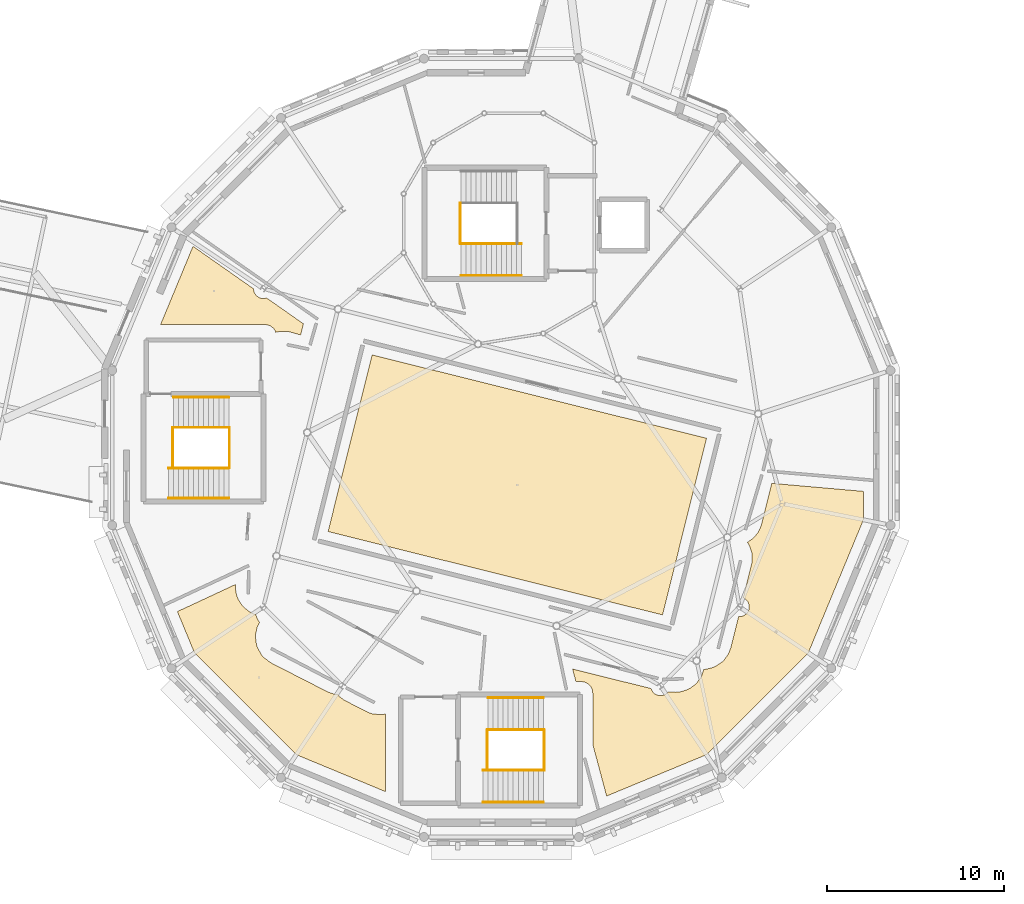
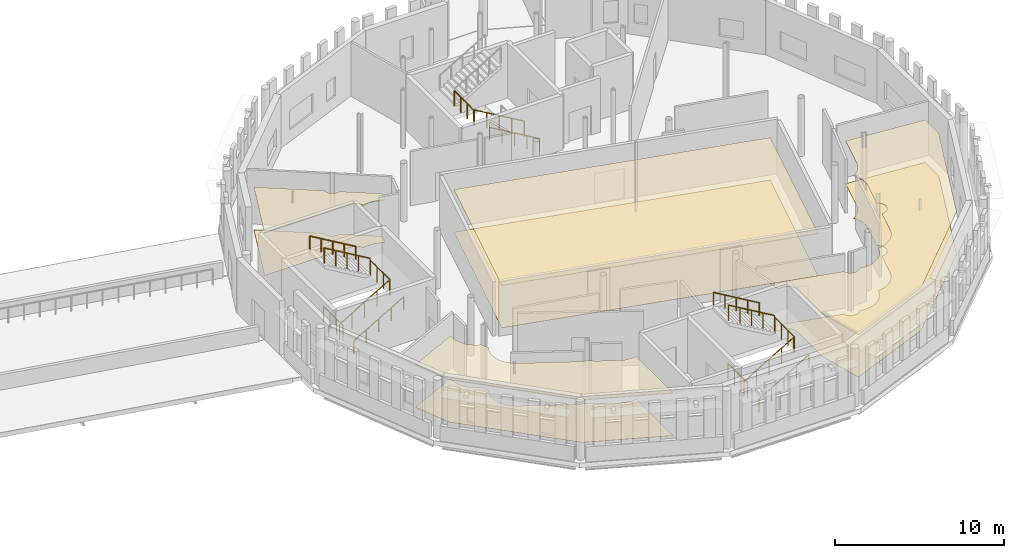
# One storey, part 88 of 90: 15 railings, 8 coverings.
"""IFC4 building model written with IfcOpenShell, lengths in metres."""

from ifc_helpers import new_model, si_unit, direction, frame, origin, origin_2d, place, context, subcontext, project, spatial, polyline, circle, outline, extrude, material, layer, layer_set, type_object, element, save


model = new_model("IFC4")

# Units and contexts
model_context = context("Model", 3, precision=1e-05, world=origin(), true_north=direction((0.0, 1.0)))
body_context = subcontext(model_context, "Body", "Model", "MODEL_VIEW")
ifc_project = project(units=[si_unit("LENGTHUNIT", "METRE"), si_unit("AREAUNIT", "SQUARE_METRE"), si_unit("VOLUMEUNIT", "CUBIC_METRE"), si_unit("PLANEANGLEUNIT", "RADIAN"), si_unit("MASSUNIT", "GRAM", prefix="KILO")], contexts=[model_context])

# Site, building, storey
site_placement = place(None, origin())
site = spatial("IfcSite", under=ifc_project, at=site_placement, CompositionType="ELEMENT")
building_placement = place(site_placement, origin())
building = spatial("IfcBuilding", under=site, at=building_placement, Name="Wrenclough Park School", CompositionType="ELEMENT")
storey_placement = place(building_placement, frame((0.0, 0.0, 8.39990234375)))
storey = spatial("IfcBuildingStorey", under=building, at=storey_placement, Name="L02", CompositionType="ELEMENT", Elevation=8.39990234375)

# Coverings
ifc_material_1 = material(Name="Class A mineral-fibre acoustic ceiling raft", Category="gypsum")
ifc_layer_1 = layer(ifc_material_1, 0.044921875)
ifc_layer_set_1 = layer_set([ifc_layer_1], Name="Class A mineral-fibre acoustic ceiling raft")
covering_type_1 = type_object("IfcCoveringType", Name="INT-COV-CEIL", PredefinedType="CEILING", material=ifc_layer_set_1)
covering_1_placement = place(storey_placement, frame((0.0, 0.0, 3.05517578125)))
element("IfcCovering", 1, at=covering_1_placement, inside=storey, type_object=covering_type_1, Name="Sports Hall acoustic ceiling raft", PredefinedType="CEILING", context=body_context, shape_type="SweptSolid", body=[
    extrude(outline(polyline([(164.614501953125, 17.044189453125), (167.1064453125, 27.038330078125), (148.185546875, 31.755859375), (145.693603515625, 21.76171875), (164.614501953125, 17.044189453125)])), origin(), (0.0, 0.0, 1.0), 0.044921875),
])
covering_2_placement = place(storey_placement, frame((0.0, 0.0, 3.05517578125)))
element("IfcCovering", 2, at=covering_2_placement, inside=storey, type_object=covering_type_1, Name="South Coaching Classroom acoustic ceiling raft", PredefinedType="CEILING", context=body_context, shape_type="SweptSolid", body=[
    extrude(outline(polyline([(140.449951171875, 18.634521484375), (140.45068359375, 18.76513671875), (137.168212890625, 17.234619140625), (138.135986328125, 14.897705078125), (143.897705078125, 9.135986328125), (148.929931640625, 7.0517578125), (148.929931640625, 11.439697265625), (148.77490234375, 11.406494140625), (148.658935546875, 11.405517578125), (148.205810546875, 11.4453125), (148.086181640625, 11.478759765625), (148.029296875, 11.50390625), (146.602294921875, 12.220703125), (146.34521484375, 12.419921875), (146.24365234375, 12.5322265625), (146.1044921875, 12.5458984375), (146.05078125, 12.55712890625), (145.73876953125, 12.662841796875), (145.6552734375, 12.698486328125), (142.476806640625, 14.325439453125), (142.37158203125, 14.392822265625), (142.073486328125, 14.627197265625), (141.982421875, 14.71435546875), (141.943603515625, 14.76416015625), (141.71923828125, 15.1533203125), (141.66748046875, 15.269775390625), (141.639404296875, 15.394287109375), (141.591796875, 15.777587890625), (141.587890625, 15.89111328125), (141.59326171875, 15.947998046875), (141.672607421875, 16.30126953125), (141.694580078125, 16.375732421875), (141.816162109375, 16.62744140625), (141.75146484375, 16.719970703125), (141.72021484375, 16.77880859375), (141.63818359375, 16.955322265625), (141.597412109375, 17.070068359375), (141.468994140625, 17.1162109375), (141.275390625, 17.2109375), (141.178466796875, 17.269287109375), (140.90771484375, 17.50146484375), (140.81982421875, 17.594970703125), (140.783203125, 17.647705078125), (140.60595703125, 17.935791015625), (140.56494140625, 18.033935546875), (140.486083984375, 18.28955078125), (140.449951171875, 18.634521484375)])), origin(), (0.0, 0.0, 1.0), 0.044921875),
])
covering_3_placement = place(storey_placement, frame((0.0, 0.0, 3.05517578125)))
element("IfcCovering", 3, at=covering_3_placement, inside=storey, type_object=covering_type_1, Name="Sports Seminar Classroom acoustic ceiling raft", PredefinedType="CEILING", context=body_context, shape_type="SweptSolid", body=[
    extrude(outline(polyline([(163.96826171875, 12.8779296875), (159.5263671875, 13.984375), (159.718017578125, 13.27001953125), (160.083740234375, 13.266845703125), (160.208740234375, 13.241943359375), (160.326416015625, 13.193115234375), (160.432373046875, 13.12255859375), (160.5224609375, 13.032470703125), (160.59326171875, 12.926513671875), (160.64208984375, 12.80859375), (160.657470703125, 12.746826171875), (160.669921875, 12.6201171875), (160.669921875, 9.716796875), (161.45263671875, 6.7958984375), (167.102294921875, 9.135986328125), (172.864013671875, 14.897705078125), (175.982177734375, 22.42578125), (175.982177734375, 24.035400390625), (170.79931640625, 24.489013671875), (170.22412109375, 22.182861328125), (170.193359375, 22.090087890625), (170.0849609375, 21.82958984375), (170.026611328125, 21.720458984375), (169.8125, 21.451171875), (169.725830078125, 21.36279296875), (169.41796875, 21.148681640625), (169.4990234375, 21.0302734375), (169.52880859375, 20.9716796875), (169.664306640625, 20.56298828125), (169.6796875, 20.432373046875), (169.682861328125, 20.076904296875), (169.665283203125, 19.96630859375), (169.1806640625, 18.01171875), (169.230712890625, 17.988037109375), (169.321044921875, 17.927734375), (169.397705078125, 17.85107421875), (169.4580078125, 17.7607421875), (169.49951171875, 17.66064453125), (169.520751953125, 17.55419921875), (169.520751953125, 17.44580078125), (169.5126953125, 17.39208984375), (169.481201171875, 17.2880859375), (169.43017578125, 17.192626953125), (169.361328125, 17.108642578125), (169.321044921875, 17.072265625), (169.230712890625, 17.011962890625), (169.130615234375, 16.970458984375), (169.024169921875, 16.94921875), (168.9169921875, 16.94921875), (168.4892578125, 15.22412109375), (168.37744140625, 14.91357421875), (168.32470703125, 14.804931640625), (168.109619140625, 14.50927734375), (168.033935546875, 14.424072265625), (167.944580078125, 14.353271484375), (167.62158203125, 14.140625), (167.5234375, 14.08740234375), (167.417724609375, 14.052001953125), (167.079833984375, 13.972412109375), (166.95263671875, 13.966064453125), (166.931396484375, 13.891357421875), (166.814697265625, 13.57421875), (166.75146484375, 13.46728515625), (166.580322265625, 13.232666015625), (166.539306640625, 13.181884765625), (166.44287109375, 13.093994140625), (166.197998046875, 12.912109375), (166.089111328125, 12.8466796875), (165.770751953125, 12.729248046875), (165.6962890625, 12.707275390625), (165.619384765625, 12.694580078125), (165.346923828125, 12.66748046875), (164.932373046875, 12.68505859375), (164.85107421875, 12.602294921875), (164.7607421875, 12.5419921875), (164.7119140625, 12.518798828125), (164.60791015625, 12.4873046875), (164.5, 12.4765625), (164.39208984375, 12.4873046875), (164.2880859375, 12.518798828125), (164.192626953125, 12.56982421875), (164.14892578125, 12.602294921875), (164.108642578125, 12.638671875), (164.039794921875, 12.72265625), (163.98876953125, 12.818115234375), (163.96826171875, 12.8779296875)])), origin(), (0.0, 0.0, 1.0), 0.044921875),
])
covering_4_placement = place(storey_placement, frame((0.0, 0.0, 3.05517578125)))
element("IfcCovering", 4, at=covering_4_placement, inside=storey, type_object=covering_type_1, Name="Sports Analysis Classroom acoustic ceiling raft", PredefinedType="CEILING", context=body_context, shape_type="SweptSolid", body=[
    extrude(outline(polyline([(142.734130859375, 33.03076171875), (142.822021484375, 33.05712890625), (143.092529296875, 33.09130859375), (143.224609375, 33.093017578125), (143.417724609375, 33.07568359375), (143.536376953125, 33.053955078125), (144.138671875, 32.8837890625), (144.296875, 33.51611328125), (142.213134765625, 34.978515625), (142.137939453125, 34.957275390625), (142.084228515625, 34.94921875), (141.975830078125, 34.94921875), (141.922119140625, 34.957275390625), (141.818115234375, 34.98876953125), (141.72265625, 35.039794921875), (141.678955078125, 35.072265625), (141.602294921875, 35.14892578125), (141.5419921875, 35.2392578125), (141.50048828125, 35.33935546875), (141.4873046875, 35.39208984375), (141.476806640625, 35.4951171875), (138.0517578125, 37.898681640625), (136.21728515625, 33.469970703125), (142.18359375, 33.466796875), (142.30859375, 33.44189453125), (142.36865234375, 33.42041015625), (142.481201171875, 33.360595703125), (142.57958984375, 33.279541015625), (142.62255859375, 33.232421875), (142.693115234375, 33.12646484375), (142.734130859375, 33.03076171875)])), origin(), (0.0, 0.0, 1.0), 0.044921875),
])
ifc_material_2 = material(Name="Acoustic natural linoleum school flooring", Category="wood")
ifc_layer_2 = layer(ifc_material_2, 0.014892578125)
ifc_layer_set_2 = layer_set([ifc_layer_2], Name="Acoustic natural linoleum school flooring")
covering_type_2 = type_object("IfcCoveringType", Name="INT-COV-FLOOR1", PredefinedType="FLOORING", material=ifc_layer_set_2)
covering_5_placement = place(storey_placement, origin())
element("IfcCovering", 5, at=covering_5_placement, inside=storey, type_object=covering_type_2, Name="South Coaching Classroom floor finish", PredefinedType="FLOORING", context=body_context, shape_type="SweptSolid", body=[
    extrude(outline(polyline([(140.449951171875, 18.634521484375), (140.45068359375, 18.76513671875), (137.168212890625, 17.234619140625), (138.135986328125, 14.897705078125), (143.897705078125, 9.135986328125), (148.929931640625, 7.0517578125), (148.929931640625, 11.439697265625), (148.77490234375, 11.406494140625), (148.658935546875, 11.405517578125), (148.205810546875, 11.4453125), (148.086181640625, 11.478759765625), (148.029296875, 11.50390625), (146.602294921875, 12.220703125), (146.34521484375, 12.419921875), (146.24365234375, 12.5322265625), (146.1044921875, 12.5458984375), (146.05078125, 12.55712890625), (145.73876953125, 12.662841796875), (145.6552734375, 12.698486328125), (142.476806640625, 14.325439453125), (142.37158203125, 14.392822265625), (142.073486328125, 14.627197265625), (141.982421875, 14.71435546875), (141.943603515625, 14.76416015625), (141.71923828125, 15.1533203125), (141.66748046875, 15.269775390625), (141.639404296875, 15.394287109375), (141.591796875, 15.777587890625), (141.587890625, 15.89111328125), (141.59326171875, 15.947998046875), (141.672607421875, 16.30126953125), (141.694580078125, 16.375732421875), (141.816162109375, 16.62744140625), (141.75146484375, 16.719970703125), (141.72021484375, 16.77880859375), (141.63818359375, 16.955322265625), (141.597412109375, 17.070068359375), (141.468994140625, 17.1162109375), (141.275390625, 17.2109375), (141.178466796875, 17.269287109375), (140.90771484375, 17.50146484375), (140.81982421875, 17.594970703125), (140.783203125, 17.647705078125), (140.60595703125, 17.935791015625), (140.56494140625, 18.033935546875), (140.486083984375, 18.28955078125), (140.449951171875, 18.634521484375)])), origin(), (0.0, 0.0, 1.0), 0.01513671875),
])
covering_6_placement = place(storey_placement, origin())
element("IfcCovering", 6, at=covering_6_placement, inside=storey, type_object=covering_type_2, Name="Sports Seminar Classroom floor finish", PredefinedType="FLOORING", context=body_context, shape_type="SweptSolid", body=[
    extrude(outline(polyline([(163.96826171875, 12.8779296875), (159.5263671875, 13.984375), (159.718017578125, 13.27001953125), (160.083740234375, 13.266845703125), (160.208740234375, 13.241943359375), (160.326416015625, 13.193115234375), (160.432373046875, 13.12255859375), (160.5224609375, 13.032470703125), (160.59326171875, 12.926513671875), (160.64208984375, 12.80859375), (160.657470703125, 12.746826171875), (160.669921875, 12.6201171875), (160.669921875, 9.716796875), (161.45263671875, 6.7958984375), (167.102294921875, 9.135986328125), (172.864013671875, 14.897705078125), (175.982177734375, 22.42578125), (175.982177734375, 24.035400390625), (170.79931640625, 24.489013671875), (170.22412109375, 22.182861328125), (170.193359375, 22.090087890625), (170.0849609375, 21.82958984375), (170.026611328125, 21.720458984375), (169.8125, 21.451171875), (169.725830078125, 21.36279296875), (169.41796875, 21.148681640625), (169.4990234375, 21.0302734375), (169.52880859375, 20.9716796875), (169.664306640625, 20.56298828125), (169.6796875, 20.432373046875), (169.682861328125, 20.076904296875), (169.665283203125, 19.96630859375), (169.1806640625, 18.01171875), (169.230712890625, 17.988037109375), (169.321044921875, 17.927734375), (169.397705078125, 17.85107421875), (169.4580078125, 17.7607421875), (169.49951171875, 17.66064453125), (169.520751953125, 17.55419921875), (169.520751953125, 17.44580078125), (169.5126953125, 17.39208984375), (169.481201171875, 17.2880859375), (169.43017578125, 17.192626953125), (169.361328125, 17.108642578125), (169.321044921875, 17.072265625), (169.230712890625, 17.011962890625), (169.130615234375, 16.970458984375), (169.024169921875, 16.94921875), (168.9169921875, 16.94921875), (168.4892578125, 15.22412109375), (168.37744140625, 14.91357421875), (168.32470703125, 14.804931640625), (168.109619140625, 14.50927734375), (168.033935546875, 14.424072265625), (167.944580078125, 14.353271484375), (167.62158203125, 14.140625), (167.5234375, 14.08740234375), (167.417724609375, 14.052001953125), (167.079833984375, 13.972412109375), (166.95263671875, 13.966064453125), (166.931396484375, 13.891357421875), (166.814697265625, 13.57421875), (166.75146484375, 13.46728515625), (166.580322265625, 13.232666015625), (166.539306640625, 13.181884765625), (166.44287109375, 13.093994140625), (166.197998046875, 12.912109375), (166.089111328125, 12.8466796875), (165.770751953125, 12.729248046875), (165.6962890625, 12.707275390625), (165.619384765625, 12.694580078125), (165.346923828125, 12.66748046875), (164.932373046875, 12.68505859375), (164.85107421875, 12.602294921875), (164.7607421875, 12.5419921875), (164.7119140625, 12.518798828125), (164.60791015625, 12.4873046875), (164.5, 12.4765625), (164.39208984375, 12.4873046875), (164.2880859375, 12.518798828125), (164.192626953125, 12.56982421875), (164.14892578125, 12.602294921875), (164.108642578125, 12.638671875), (164.039794921875, 12.72265625), (163.98876953125, 12.818115234375), (163.96826171875, 12.8779296875)])), origin(), (0.0, 0.0, 1.0), 0.01513671875),
])
covering_7_placement = place(storey_placement, origin())
element("IfcCovering", 7, at=covering_7_placement, inside=storey, type_object=covering_type_2, Name="Sports Analysis Classroom floor finish", PredefinedType="FLOORING", context=body_context, shape_type="SweptSolid", body=[
    extrude(outline(polyline([(142.734130859375, 33.03076171875), (142.822021484375, 33.05712890625), (143.092529296875, 33.09130859375), (143.224609375, 33.093017578125), (143.417724609375, 33.07568359375), (143.536376953125, 33.053955078125), (144.138671875, 32.8837890625), (144.296875, 33.51611328125), (142.213134765625, 34.978515625), (142.137939453125, 34.957275390625), (142.084228515625, 34.94921875), (141.975830078125, 34.94921875), (141.922119140625, 34.957275390625), (141.818115234375, 34.98876953125), (141.72265625, 35.039794921875), (141.678955078125, 35.072265625), (141.602294921875, 35.14892578125), (141.5419921875, 35.2392578125), (141.50048828125, 35.33935546875), (141.4873046875, 35.39208984375), (141.476806640625, 35.4951171875), (138.0517578125, 37.898681640625), (136.21728515625, 33.469970703125), (142.18359375, 33.466796875), (142.30859375, 33.44189453125), (142.36865234375, 33.42041015625), (142.481201171875, 33.360595703125), (142.57958984375, 33.279541015625), (142.62255859375, 33.232421875), (142.693115234375, 33.12646484375), (142.734130859375, 33.03076171875)])), origin(), (0.0, 0.0, 1.0), 0.01513671875),
])
ifc_material_3 = material(Name="Sprung polymeric sports hall flooring", Category="wood")
ifc_layer_3 = layer(ifc_material_3, 0.02197265625)
ifc_layer_set_3 = layer_set([ifc_layer_3], Name="Sprung polymeric sports hall flooring")
covering_type_3 = type_object("IfcCoveringType", Name="INT-COV-FLOOR2", PredefinedType="FLOORING", material=ifc_layer_set_3)
covering_8_placement = place(storey_placement, origin())
element("IfcCovering", 8, at=covering_8_placement, inside=storey, type_object=covering_type_3, Name="Sports Hall floor finish", PredefinedType="FLOORING", context=body_context, shape_type="SweptSolid", body=[
    extrude(outline(polyline([(164.614501953125, 17.044189453125), (167.1064453125, 27.038330078125), (148.185546875, 31.755859375), (145.693603515625, 21.76171875), (164.614501953125, 17.044189453125)])), origin(), (0.0, 0.0, 1.0), 0.022216796875),
])

# Railings
ifc_material_4 = material(Name="Powder-coated steel vertical-baluster stair and atrium guard", Category="steel")
railing_type_1 = type_object("IfcRailingType", Name="INT-RL-GD1120", PredefinedType="GUARDRAIL", material=ifc_material_4)
railing_1_placement = place(storey_placement, frame((156.639892578125, 38.050048828125, 0.168212890625)))
element("IfcRailing", 9, at=railing_1_placement, inside=storey, type_object=railing_type_1, Name="ST-01 L02 well guard 2", PredefinedType="GUARDRAIL", context=body_context, shape_type="SweptSolid", body=[
    extrude(circle(Radius=0.02392578125, at=origin_2d()), frame((0.0, 0.0, 1.09619140625), z_axis=(-0.861476970849, 0.0, 0.507796641084), x_axis=(0.0, -1.0, 0.0)), (0.0, 0.0, 1.0), 3.9697265625),
    extrude(circle(Radius=0.02099609375, at=origin_2d()), origin(), (0.0, 0.0, 1.0), 1.072021484375),
    extrude(circle(Radius=0.02099609375, at=origin_2d()), frame((-0.85498046875, 0.0, 0.50390625)), (0.0, 0.0, 1.0), 1.072021484375),
    extrude(circle(Radius=0.02099609375, at=origin_2d()), frame((-1.7099609375, 0.0, 1.0078125)), (0.0, 0.0, 1.0), 1.072021484375),
    extrude(circle(Radius=0.02099609375, at=origin_2d()), frame((-2.56494140625, 0.0, 1.511962890625)), (0.0, 0.0, 1.0), 1.072021484375),
    extrude(circle(Radius=0.02099609375, at=origin_2d()), frame((-3.419921875, 0.0, 2.015869140625)), (0.0, 0.0, 1.0), 1.072021484375),
])
for number, where, name in (
    (10, (153.179931640625, 38.050048828125, 2.18408203125), "ST-01 L02 well guard 3"),
    (11, (154.705078125, 8.25, 0.0), "ST-09 L02 well guard 1"),
):
    element("IfcRailing", number, at=place(storey_placement, frame(where)), inside=storey, type_object=railing_type_1, Name=name, PredefinedType="GUARDRAIL", context=body_context, shape_type="SweptSolid", body=[
        extrude(circle(Radius=0.02392578125, at=origin_2d()), frame((0.0, 0.0, 1.09619140625), z_axis=(0.0, 1.0, 0.0), x_axis=(-1.0, 0.0, 0.0)), (0.0, 0.0, 1.0), 2.300048828125),
        extrude(circle(Radius=0.02099609375, at=origin_2d()), origin(), (0.0, 0.0, 1.0), 1.072021484375),
        extrude(circle(Radius=0.02099609375, at=origin_2d()), frame((0.0, 0.7666015625, 0.0)), (0.0, 0.0, 1.0), 1.072021484375),
        extrude(circle(Radius=0.02099609375, at=origin_2d()), frame((0.0, 1.533447265625, 0.0)), (0.0, 0.0, 1.0), 1.072021484375),
        extrude(circle(Radius=0.02099609375, at=origin_2d()), frame((0.0, 2.300048828125, 0.0)), (0.0, 0.0, 1.0), 1.072021484375),
    ])
railing_2_placement = place(storey_placement, frame((154.4599609375, 8.25, 0.168212890625)))
element("IfcRailing", 12, at=railing_2_placement, inside=storey, type_object=railing_type_1, Name="ST-09 L02 well guard 2", PredefinedType="GUARDRAIL", context=body_context, shape_type="SweptSolid", body=[
    extrude(circle(Radius=0.02392578125, at=origin_2d()), frame((0.0, 0.0, 1.09619140625), z_axis=(0.861476970849, 0.0, 0.507796641084), x_axis=(0.0, 1.0, 0.0)), (0.0, 0.0, 1.0), 3.9697265625),
    extrude(circle(Radius=0.02099609375, at=origin_2d()), origin(), (0.0, 0.0, 1.0), 1.072021484375),
    extrude(circle(Radius=0.02099609375, at=origin_2d()), frame((0.85498046875, 0.0, 0.50390625)), (0.0, 0.0, 1.0), 1.072021484375),
    extrude(circle(Radius=0.02099609375, at=origin_2d()), frame((1.7099609375, 0.0, 1.0078125)), (0.0, 0.0, 1.0), 1.072021484375),
    extrude(circle(Radius=0.02099609375, at=origin_2d()), frame((2.56494140625, 0.0, 1.511962890625)), (0.0, 0.0, 1.0), 1.072021484375),
    extrude(circle(Radius=0.02099609375, at=origin_2d()), frame((3.419921875, 0.0, 2.015869140625)), (0.0, 0.0, 1.0), 1.072021484375),
])
railing_3_placement = place(storey_placement, frame((157.919921875, 8.25, 2.18408203125)))
element("IfcRailing", 13, at=railing_3_placement, inside=storey, type_object=railing_type_1, Name="ST-09 L02 well guard 3", PredefinedType="GUARDRAIL", context=body_context, shape_type="SweptSolid", body=[
    extrude(circle(Radius=0.02392578125, at=origin_2d()), frame((0.0, 0.0, 1.09619140625), z_axis=(0.0, 1.0, 0.0), x_axis=(-1.0, 0.0, 0.0)), (0.0, 0.0, 1.0), 2.300048828125),
    extrude(circle(Radius=0.02099609375, at=origin_2d()), origin(), (0.0, 0.0, 1.0), 1.072021484375),
    extrude(circle(Radius=0.02099609375, at=origin_2d()), frame((0.0, 0.7666015625, 0.0)), (0.0, 0.0, 1.0), 1.072021484375),
    extrude(circle(Radius=0.02099609375, at=origin_2d()), frame((0.0, 1.533447265625, 0.0)), (0.0, 0.0, 1.0), 1.072021484375),
    extrude(circle(Radius=0.02099609375, at=origin_2d()), frame((0.0, 2.300048828125, 0.0)), (0.0, 0.0, 1.0), 1.072021484375),
])
railing_4_placement = place(storey_placement, frame((157.8798828125, 10.550048828125, 2.35205078125)))
element("IfcRailing", 14, at=railing_4_placement, inside=storey, type_object=railing_type_1, Name="ST-09 L02 well guard 4", PredefinedType="GUARDRAIL", context=body_context, shape_type="SweptSolid", body=[
    extrude(circle(Radius=0.02392578125, at=origin_2d()), frame((0.0, 0.0, 1.09619140625), z_axis=(-0.861433640107, 0.0, 0.507870144518), x_axis=(0.0, -1.0, 0.0)), (0.0, 0.0, 1.0), 3.638916015625),
    extrude(circle(Radius=0.02099609375, at=origin_2d()), origin(), (0.0, 0.0, 1.0), 1.072021484375),
    extrude(circle(Radius=0.02099609375, at=origin_2d()), frame((-0.78369140625, 0.0, 0.4619140625)), (0.0, 0.0, 1.0), 1.072021484375),
    extrude(circle(Radius=0.02099609375, at=origin_2d()), frame((-1.5673828125, 0.0, 0.924072265625)), (0.0, 0.0, 1.0), 1.072021484375),
    extrude(circle(Radius=0.02099609375, at=origin_2d()), frame((-2.35107421875, 0.0, 1.38623046875)), (0.0, 0.0, 1.0), 1.072021484375),
    extrude(circle(Radius=0.02099609375, at=origin_2d()), frame((-3.134765625, 0.0, 1.84814453125)), (0.0, 0.0, 1.0), 1.072021484375),
])
railing_5_placement = place(storey_placement, frame((136.905029296875, 25.35009765625, 0.0)))
element("IfcRailing", 15, at=railing_5_placement, inside=storey, type_object=railing_type_1, Name="ST-12 L02 well guard 1", PredefinedType="GUARDRAIL", context=body_context, shape_type="SweptSolid", body=[
    extrude(circle(Radius=0.02392578125, at=origin_2d()), frame((0.0, 0.0, 1.09619140625), z_axis=(0.0, 1.0, 0.0), x_axis=(-1.0, 0.0, 0.0)), (0.0, 0.0, 1.0), 2.2998046875),
    extrude(circle(Radius=0.02099609375, at=origin_2d()), origin(), (0.0, 0.0, 1.0), 1.072021484375),
    extrude(circle(Radius=0.02099609375, at=origin_2d()), frame((0.0, 0.7666015625, 0.0)), (0.0, 0.0, 1.0), 1.072021484375),
    extrude(circle(Radius=0.02099609375, at=origin_2d()), frame((0.0, 1.533203125, 0.0)), (0.0, 0.0, 1.0), 1.072021484375),
    extrude(circle(Radius=0.02099609375, at=origin_2d()), frame((0.0, 2.2998046875, 0.0)), (0.0, 0.0, 1.0), 1.072021484375),
])
railing_6_placement = place(storey_placement, frame((136.659912109375, 25.35009765625, 0.168212890625)))
element("IfcRailing", 16, at=railing_6_placement, inside=storey, type_object=railing_type_1, Name="ST-12 L02 well guard 2", PredefinedType="GUARDRAIL", context=body_context, shape_type="SweptSolid", body=[
    extrude(circle(Radius=0.02392578125, at=origin_2d()), frame((0.0, 0.0, 1.09619140625), z_axis=(0.861492827544, 0.0, 0.507769739242), x_axis=(0.0, 1.0, 0.0)), (0.0, 0.0, 1.0), 3.969970703125),
    extrude(circle(Radius=0.02099609375, at=origin_2d()), origin(), (0.0, 0.0, 1.0), 1.072021484375),
    extrude(circle(Radius=0.02099609375, at=origin_2d()), frame((0.85498046875, 0.0, 0.50390625)), (0.0, 0.0, 1.0), 1.072021484375),
    extrude(circle(Radius=0.02099609375, at=origin_2d()), frame((1.7099609375, 0.0, 1.0078125)), (0.0, 0.0, 1.0), 1.072021484375),
    extrude(circle(Radius=0.02099609375, at=origin_2d()), frame((2.565185546875, 0.0, 1.511962890625)), (0.0, 0.0, 1.0), 1.072021484375),
    extrude(circle(Radius=0.02099609375, at=origin_2d()), frame((3.420166015625, 0.0, 2.015869140625)), (0.0, 0.0, 1.0), 1.072021484375),
])
railing_7_placement = place(storey_placement, frame((140.1201171875, 25.35009765625, 2.18408203125)))
element("IfcRailing", 17, at=railing_7_placement, inside=storey, type_object=railing_type_1, Name="ST-12 L02 well guard 3", PredefinedType="GUARDRAIL", context=body_context, shape_type="SweptSolid", body=[
    extrude(circle(Radius=0.02392578125, at=origin_2d()), frame((0.0, 0.0, 1.09619140625), z_axis=(0.0, 1.0, 0.0), x_axis=(-1.0, 0.0, 0.0)), (0.0, 0.0, 1.0), 2.2998046875),
    extrude(circle(Radius=0.02099609375, at=origin_2d()), origin(), (0.0, 0.0, 1.0), 1.072021484375),
    extrude(circle(Radius=0.02099609375, at=origin_2d()), frame((0.0, 0.7666015625, 0.0)), (0.0, 0.0, 1.0), 1.072021484375),
    extrude(circle(Radius=0.02099609375, at=origin_2d()), frame((0.0, 1.533203125, 0.0)), (0.0, 0.0, 1.0), 1.072021484375),
    extrude(circle(Radius=0.02099609375, at=origin_2d()), frame((0.0, 2.2998046875, 0.0)), (0.0, 0.0, 1.0), 1.072021484375),
])
railing_8_placement = place(storey_placement, frame((140.080078125, 27.64990234375, 2.35205078125)))
element("IfcRailing", 18, at=railing_8_placement, inside=storey, type_object=railing_type_1, Name="ST-12 L02 well guard 4", PredefinedType="GUARDRAIL", context=body_context, shape_type="SweptSolid", body=[
    extrude(circle(Radius=0.02392578125, at=origin_2d()), frame((0.0, 0.0, 1.09619140625), z_axis=(-0.861450943231, 0.0, 0.507840794351), x_axis=(0.0, -1.0, 0.0)), (0.0, 0.0, 1.0), 3.63916015625),
    extrude(circle(Radius=0.02099609375, at=origin_2d()), origin(), (0.0, 0.0, 1.0), 1.072021484375),
    extrude(circle(Radius=0.02099609375, at=origin_2d()), frame((-0.78369140625, 0.0, 0.4619140625)), (0.0, 0.0, 1.0), 1.072021484375),
    extrude(circle(Radius=0.02099609375, at=origin_2d()), frame((-1.5673828125, 0.0, 0.924072265625)), (0.0, 0.0, 1.0), 1.072021484375),
    extrude(circle(Radius=0.02099609375, at=origin_2d()), frame((-2.351318359375, 0.0, 1.38623046875)), (0.0, 0.0, 1.0), 1.072021484375),
    extrude(circle(Radius=0.02099609375, at=origin_2d()), frame((-3.135009765625, 0.0, 1.84814453125)), (0.0, 0.0, 1.0), 1.072021484375),
])
ifc_material_5 = material(Name="Brushed stainless steel tubular handrail", Category="steel")
railing_type_2 = type_object("IfcRailingType", Name="INT-RL-HR950", PredefinedType="HANDRAIL", material=ifc_material_5)
railing_9_placement = place(storey_placement, frame((156.639892578125, 36.25, 0.168212890625)))
element("IfcRailing", 19, at=railing_9_placement, inside=storey, type_object=railing_type_2, Name="ST-01 L02 pitch handrail 1", PredefinedType="HANDRAIL", context=body_context, shape_type="SweptSolid", body=[
    extrude(circle(Radius=0.02392578125, at=origin_2d()), frame((0.0, 0.0, 0.92578125), z_axis=(-0.861476970849, 0.0, 0.507796641084), x_axis=(0.0, -1.0, 0.0)), (0.0, 0.0, 1.0), 3.9697265625),
    extrude(circle(Radius=0.02099609375, at=origin_2d()), origin(), (0.0, 0.0, 1.0), 0.90185546875),
    extrude(circle(Radius=0.02099609375, at=origin_2d()), frame((-0.85498046875, 0.0, 0.50390625)), (0.0, 0.0, 1.0), 0.90185546875),
    extrude(circle(Radius=0.02099609375, at=origin_2d()), frame((-1.7099609375, 0.0, 1.0078125)), (0.0, 0.0, 1.0), 0.90185546875),
    extrude(circle(Radius=0.02099609375, at=origin_2d()), frame((-2.56494140625, 0.0, 1.511962890625)), (0.0, 0.0, 1.0), 0.90185546875),
    extrude(circle(Radius=0.02099609375, at=origin_2d()), frame((-3.419921875, 0.0, 2.015869140625)), (0.0, 0.0, 1.0), 0.90185546875),
])
railing_10_placement = place(storey_placement, frame((154.4599609375, 6.449951171875, 0.168212890625)))
element("IfcRailing", 20, at=railing_10_placement, inside=storey, type_object=railing_type_2, Name="ST-09 L02 pitch handrail 1", PredefinedType="HANDRAIL", context=body_context, shape_type="SweptSolid", body=[
    extrude(circle(Radius=0.02392578125, at=origin_2d()), frame((0.0, 0.0, 0.92578125), z_axis=(0.861476970849, 0.0, 0.507796641084), x_axis=(0.0, 1.0, 0.0)), (0.0, 0.0, 1.0), 3.9697265625),
    extrude(circle(Radius=0.02099609375, at=origin_2d()), origin(), (0.0, 0.0, 1.0), 0.90185546875),
    extrude(circle(Radius=0.02099609375, at=origin_2d()), frame((0.85498046875, 0.0, 0.50390625)), (0.0, 0.0, 1.0), 0.90185546875),
    extrude(circle(Radius=0.02099609375, at=origin_2d()), frame((1.7099609375, 0.0, 1.0078125)), (0.0, 0.0, 1.0), 0.90185546875),
    extrude(circle(Radius=0.02099609375, at=origin_2d()), frame((2.56494140625, 0.0, 1.511962890625)), (0.0, 0.0, 1.0), 0.90185546875),
    extrude(circle(Radius=0.02099609375, at=origin_2d()), frame((3.419921875, 0.0, 2.015869140625)), (0.0, 0.0, 1.0), 0.90185546875),
])
railing_11_placement = place(storey_placement, frame((157.8798828125, 12.35009765625, 2.35205078125)))
element("IfcRailing", 21, at=railing_11_placement, inside=storey, type_object=railing_type_2, Name="ST-09 L02 pitch handrail 2", PredefinedType="HANDRAIL", context=body_context, shape_type="SweptSolid", body=[
    extrude(circle(Radius=0.02392578125, at=origin_2d()), frame((0.0, 0.0, 0.92578125), z_axis=(-0.861433640107, 0.0, 0.507870144518), x_axis=(0.0, -1.0, 0.0)), (0.0, 0.0, 1.0), 3.638916015625),
    extrude(circle(Radius=0.02099609375, at=origin_2d()), origin(), (0.0, 0.0, 1.0), 0.90185546875),
    extrude(circle(Radius=0.02099609375, at=origin_2d()), frame((-0.78369140625, 0.0, 0.4619140625)), (0.0, 0.0, 1.0), 0.90185546875),
    extrude(circle(Radius=0.02099609375, at=origin_2d()), frame((-1.5673828125, 0.0, 0.924072265625)), (0.0, 0.0, 1.0), 0.90185546875),
    extrude(circle(Radius=0.02099609375, at=origin_2d()), frame((-2.35107421875, 0.0, 1.38623046875)), (0.0, 0.0, 1.0), 0.90185546875),
    extrude(circle(Radius=0.02099609375, at=origin_2d()), frame((-3.134765625, 0.0, 1.84814453125)), (0.0, 0.0, 1.0), 0.90185546875),
])
railing_12_placement = place(storey_placement, frame((136.659912109375, 23.64990234375, 0.168212890625)))
element("IfcRailing", 22, at=railing_12_placement, inside=storey, type_object=railing_type_2, Name="ST-12 L02 pitch handrail 1", PredefinedType="HANDRAIL", context=body_context, shape_type="SweptSolid", body=[
    extrude(circle(Radius=0.02392578125, at=origin_2d()), frame((0.0, 0.0, 0.92578125), z_axis=(0.861492827544, 0.0, 0.507769739242), x_axis=(0.0, 1.0, 0.0)), (0.0, 0.0, 1.0), 3.969970703125),
    extrude(circle(Radius=0.02099609375, at=origin_2d()), origin(), (0.0, 0.0, 1.0), 0.90185546875),
    extrude(circle(Radius=0.02099609375, at=origin_2d()), frame((0.85498046875, 0.0, 0.50390625)), (0.0, 0.0, 1.0), 0.90185546875),
    extrude(circle(Radius=0.02099609375, at=origin_2d()), frame((1.7099609375, 0.0, 1.0078125)), (0.0, 0.0, 1.0), 0.90185546875),
    extrude(circle(Radius=0.02099609375, at=origin_2d()), frame((2.565185546875, 0.0, 1.511962890625)), (0.0, 0.0, 1.0), 0.90185546875),
    extrude(circle(Radius=0.02099609375, at=origin_2d()), frame((3.420166015625, 0.0, 2.015869140625)), (0.0, 0.0, 1.0), 0.90185546875),
])
railing_13_placement = place(storey_placement, frame((140.080078125, 29.35009765625, 2.35205078125)))
element("IfcRailing", 23, at=railing_13_placement, inside=storey, type_object=railing_type_2, Name="ST-12 L02 pitch handrail 2", PredefinedType="HANDRAIL", context=body_context, shape_type="SweptSolid", body=[
    extrude(circle(Radius=0.02392578125, at=origin_2d()), frame((0.0, 0.0, 0.92578125), z_axis=(-0.861450943231, 0.0, 0.507840794351), x_axis=(0.0, -1.0, 0.0)), (0.0, 0.0, 1.0), 3.63916015625),
    extrude(circle(Radius=0.02099609375, at=origin_2d()), origin(), (0.0, 0.0, 1.0), 0.90185546875),
    extrude(circle(Radius=0.02099609375, at=origin_2d()), frame((-0.78369140625, 0.0, 0.4619140625)), (0.0, 0.0, 1.0), 0.90185546875),
    extrude(circle(Radius=0.02099609375, at=origin_2d()), frame((-1.5673828125, 0.0, 0.924072265625)), (0.0, 0.0, 1.0), 0.90185546875),
    extrude(circle(Radius=0.02099609375, at=origin_2d()), frame((-2.351318359375, 0.0, 1.38623046875)), (0.0, 0.0, 1.0), 0.90185546875),
    extrude(circle(Radius=0.02099609375, at=origin_2d()), frame((-3.135009765625, 0.0, 1.84814453125)), (0.0, 0.0, 1.0), 0.90185546875),
])

save(model, "model.ifc")
